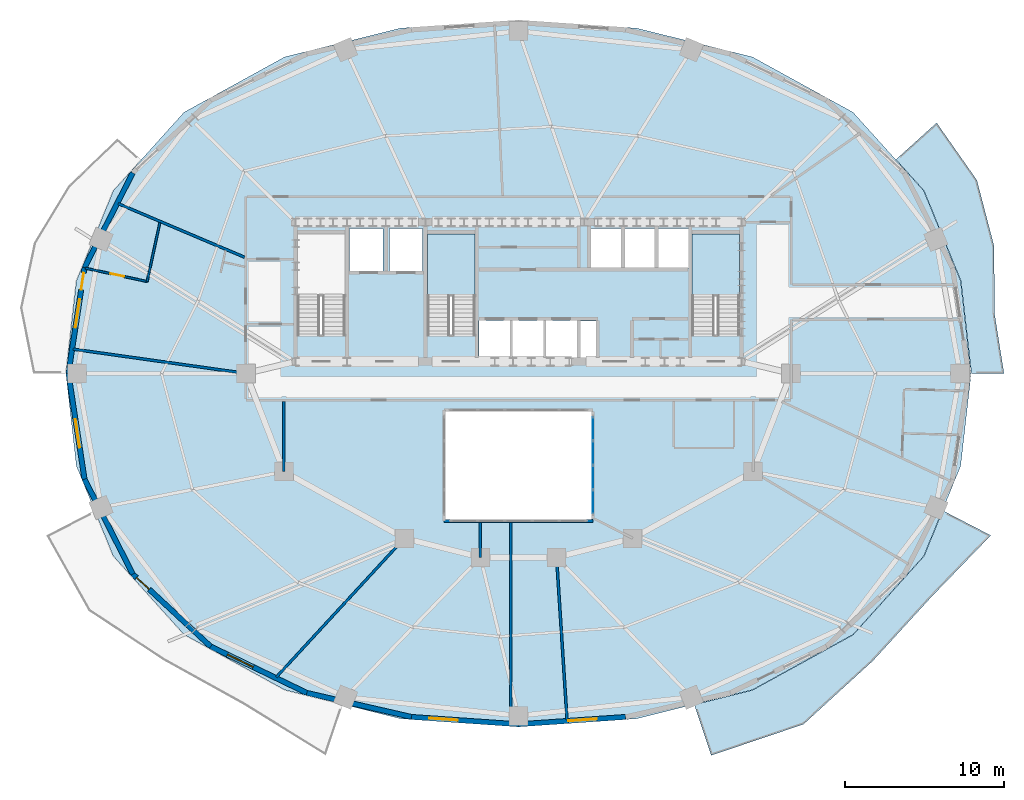
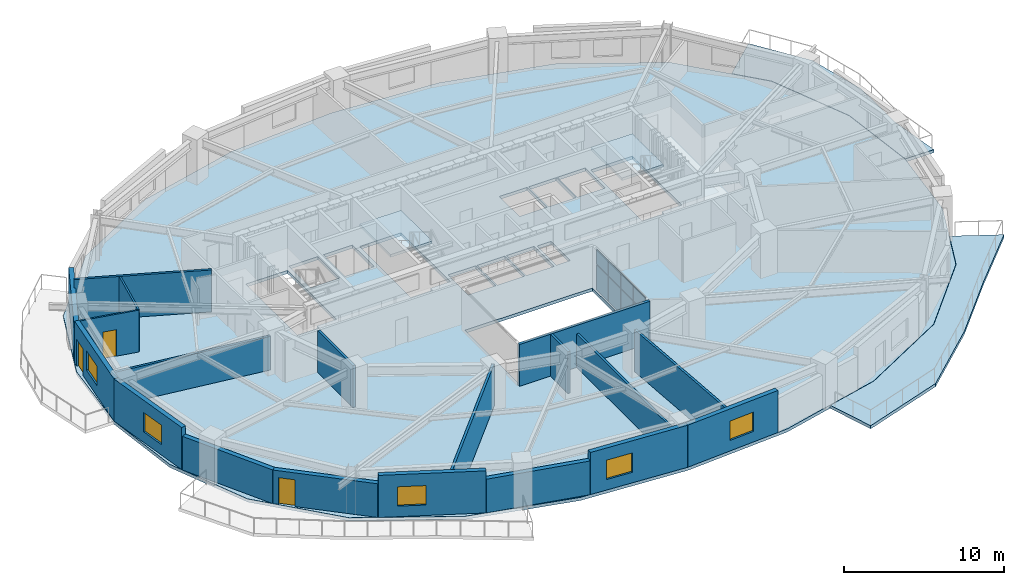
# One storey, part 6 of 13: 19 walls, 8 plates, 5 slabs, 5 windows, 3 doors, 8 openings, 3 elements without a shape of their own.
"""IFC4 building model written with IfcOpenShell, lengths in metres."""

from ifc_helpers import new_model, si_unit, direction, frame, frame_2d, origin, origin_2d, place, context, subcontext, project, spatial, polyline, rectangle, outline, extrude, material, layer, layer_set, type_object, element, fill, aggregate, save


model = new_model("IFC4")

# Units and contexts
model_context = context("Model", 3, precision=1e-05, world=origin(), true_north=direction((0.0, 1.0)))
body_context = subcontext(model_context, "Body", "Model", "MODEL_VIEW")
ifc_project = project(units=[si_unit("LENGTHUNIT", "METRE"), si_unit("AREAUNIT", "SQUARE_METRE"), si_unit("VOLUMEUNIT", "CUBIC_METRE"), si_unit("PLANEANGLEUNIT", "RADIAN"), si_unit("MASSUNIT", "GRAM", prefix="KILO")], contexts=[model_context])

# Site, building, storey
site_placement = place(None, origin())
site = spatial("IfcSite", under=ifc_project, at=site_placement, CompositionType="ELEMENT")
building_placement = place(site_placement, origin())
building = spatial("IfcBuilding", under=site, at=building_placement, Name="Haldorwick Loom Tower", CompositionType="ELEMENT")
storey_placement = place(building_placement, frame((0.0, 0.0, 124.25)))
storey = spatial("IfcBuildingStorey", under=building, at=storey_placement, Name="L33", CompositionType="ELEMENT", Elevation=124.25)

# Curtain wall, plates
ifc_material_1 = material(Name="Thermally Broken Anodized Aluminium Curtain Wall Framing", Category="aluminium")
curtain_wall_type = type_object("IfcCurtainWallType", Name="ARC-CW-03", PredefinedType="NOTDEFINED", material=ifc_material_1)
curtain_wall_placement = place(storey_placement, origin())
curtain_wall = element("IfcCurtainWall", 1, at=curtain_wall_placement, inside=storey, type_object=curtain_wall_type, Name="L33 Atrium Glazed Screen E", PredefinedType="NOTDEFINED")
ifc_material_2 = material(Name="Triple-Glazed Low-E Argon Insulated Glazing Unit", Category="glass")
ifc_layer_1 = layer(ifc_material_2, 0.04296875, Name="Triple-Glazed Low-E Argon Insulated Glazing Unit", Category="glass")
ifc_layer_set_1 = layer_set([ifc_layer_1], Name="Triple-Glazed Low-E Argon Insulated Glazing Unit")
plate_type = type_object("IfcPlateType", Name="ARC-CWP-03", PredefinedType="CURTAIN_PANEL", material=ifc_layer_set_1)
plate_1_placement = place(storey_placement, frame((40.699951171875, 22.508544921875, 0.066162109375), z_axis=(0.0, 0.0, 1.0), x_axis=(0.0, -1.0, 0.0)))
plate_1 = element("IfcPlate", 2, at=plate_1_placement, type_object=plate_type, Name="CW-03 panel 1.1", PredefinedType="CURTAIN_PANEL", context=body_context, shape_type="SweptSolid", body=[
    extrude(rectangle(XDim=1.450927734375, YDim=0.04296875, at=origin_2d()), origin(), (0.0, 0.0, 1.0), 1.90087890625),
])
plate_2_placement = place(storey_placement, frame((40.699951171875, 22.508544921875, 2.03271484375), z_axis=(0.0, 0.0, 1.0), x_axis=(0.0, -1.0, 0.0)))
plate_2 = element("IfcPlate", 3, at=plate_2_placement, type_object=plate_type, Name="CW-03 panel 1.2", PredefinedType="CURTAIN_PANEL", context=body_context, shape_type="SweptSolid", body=[
    extrude(rectangle(XDim=1.450927734375, YDim=0.04296875, at=origin_2d()), origin(), (0.0, 0.0, 1.0), 1.111083984375),
])
plate_3_placement = place(storey_placement, frame((40.699951171875, 20.97509765625, 0.066162109375), z_axis=(0.0, 0.0, 1.0), x_axis=(0.0, -1.0, 0.0)))
plate_3 = element("IfcPlate", 4, at=plate_3_placement, type_object=plate_type, Name="CW-03 panel 2.1", PredefinedType="CURTAIN_PANEL", context=body_context, shape_type="SweptSolid", body=[
    extrude(rectangle(XDim=1.48388671875, YDim=0.04296875, at=origin_2d()), origin(), (0.0, 0.0, 1.0), 1.90087890625),
])
plate_4_placement = place(storey_placement, frame((40.699951171875, 20.97509765625, 2.03271484375), z_axis=(0.0, 0.0, 1.0), x_axis=(0.0, -1.0, 0.0)))
plate_4 = element("IfcPlate", 5, at=plate_4_placement, type_object=plate_type, Name="CW-03 panel 2.2", PredefinedType="CURTAIN_PANEL", context=body_context, shape_type="SweptSolid", body=[
    extrude(rectangle(XDim=1.48388671875, YDim=0.04296875, at=origin_2d()), origin(), (0.0, 0.0, 1.0), 1.111083984375),
])
plate_5_placement = place(storey_placement, frame((40.699951171875, 19.425048828125, 0.066162109375), z_axis=(0.0, 0.0, 1.0), x_axis=(0.0, -1.0, 0.0)))
plate_5 = element("IfcPlate", 6, at=plate_5_placement, type_object=plate_type, Name="CW-03 panel 3.1", PredefinedType="CURTAIN_PANEL", context=body_context, shape_type="SweptSolid", body=[
    extrude(rectangle(XDim=1.48388671875, YDim=0.04296875, at=origin_2d()), origin(), (0.0, 0.0, 1.0), 1.90087890625),
])
plate_6_placement = place(storey_placement, frame((40.699951171875, 19.425048828125, 2.03271484375), z_axis=(0.0, 0.0, 1.0), x_axis=(0.0, -1.0, 0.0)))
plate_6 = element("IfcPlate", 7, at=plate_6_placement, type_object=plate_type, Name="CW-03 panel 3.2", PredefinedType="CURTAIN_PANEL", context=body_context, shape_type="SweptSolid", body=[
    extrude(rectangle(XDim=1.48388671875, YDim=0.04296875, at=origin_2d()), origin(), (0.0, 0.0, 1.0), 1.111083984375),
])
plate_7_placement = place(storey_placement, frame((40.699951171875, 17.8916015625, 0.066162109375), z_axis=(0.0, 0.0, 1.0), x_axis=(0.0, -1.0, 0.0)))
plate_7 = element("IfcPlate", 8, at=plate_7_placement, type_object=plate_type, Name="CW-03 panel 4.1", PredefinedType="CURTAIN_PANEL", context=body_context, shape_type="SweptSolid", body=[
    extrude(rectangle(XDim=1.450927734375, YDim=0.04296875, at=origin_2d()), origin(), (0.0, 0.0, 1.0), 1.90087890625),
])
plate_8_placement = place(storey_placement, frame((40.699951171875, 17.8916015625, 2.03271484375), z_axis=(0.0, 0.0, 1.0), x_axis=(0.0, -1.0, 0.0)))
plate_8 = element("IfcPlate", 9, at=plate_8_placement, type_object=plate_type, Name="CW-03 panel 4.2", PredefinedType="CURTAIN_PANEL", context=body_context, shape_type="SweptSolid", body=[
    extrude(rectangle(XDim=1.450927734375, YDim=0.04296875, at=origin_2d()), origin(), (0.0, 0.0, 1.0), 1.111083984375),
])
aggregate(curtain_wall, [plate_1, plate_2, plate_3, plate_4, plate_5, plate_6, plate_7, plate_8])

# Slabs
ifc_material_3 = material(Name="Concrete C40 (40 MPa)", Category="concrete")
ifc_layer_2 = layer(ifc_material_3, 0.239990234375, Name="Concrete C40 (40 MPa)", Category="concrete")
ifc_layer_set_2 = layer_set([ifc_layer_2], Name="Concrete C40 (40 MPa)")
slab_type_1 = type_object("IfcSlabType", Name="STR-SLB-BAL240", PredefinedType="FLOOR", material=ifc_layer_set_2)
slab_1_placement = place(storey_placement, frame((0.0, 0.0, -0.239990234375)))
element("IfcSlab", 10, at=slab_1_placement, inside=storey, type_object=slab_type_1, Name="L33 Sinusoidal Balcony Terrace BAL_SE", PredefinedType="FLOOR", context=body_context, shape_type="SweptSolid", body=[
    extrude(outline(polyline([(62.758544921875, 17.34814453125), (61.580078125, 14.468994140625), (61.579345703125, 14.4677734375), (61.578857421875, 14.466552734375), (61.578125, 14.465576171875), (61.5771484375, 14.464599609375), (57.11279296875, 9.51318359375), (57.11181640625, 9.51220703125), (57.1103515625, 9.510986328125), (57.10888671875, 9.51025390625), (50.767822265625, 6.0244140625), (50.7666015625, 6.023681640625), (50.765380859375, 6.023193359375), (50.76416015625, 6.022705078125), (47.08642578125, 5.10498046875), (48.155517578125, 1.90185546875), (53.978271484375, 3.8662109375), (58.376708984375, 7.890380859375), (62.07080078125, 11.92578125), (65.7939453125, 15.780517578125), (62.758544921875, 17.34814453125)])), origin(), (0.0, 0.0, 1.0), 0.239990234375),
])
slab_2_placement = place(storey_placement, frame((0.0, 0.0, -0.239990234375)))
element("IfcSlab", 11, at=slab_2_placement, inside=storey, type_object=slab_type_1, Name="L33 Sinusoidal Balcony Terrace BAL_ENE", PredefinedType="FLOOR", context=body_context, shape_type="SweptSolid", body=[
    extrude(outline(polyline([(59.813232421875, 39.491943359375), (61.5771484375, 37.535400390625), (61.578125, 37.534423828125), (61.578857421875, 37.533447265625), (61.579345703125, 37.5322265625), (61.580078125, 37.531005859375), (63.90869140625, 31.841796875), (63.9091796875, 31.840576171875), (63.909423828125, 31.83935546875), (63.90966796875, 31.837890625), (64.572509765625, 26.001708984375), (64.572509765625, 26.0), (66.629150390625, 26.0), (66.019287109375, 29.846435546875), (66.01025390625, 34.008056640625), (64.916015625, 38.197509765625), (62.3779296875, 41.81201171875), (59.813232421875, 39.491943359375)])), origin(), (0.0, 0.0, 1.0), 0.239990234375),
])

# Stair, slab
stair_type = type_object("IfcStairType", Name="STR-STR-CORE", PredefinedType="HALF_TURN_STAIR", material=ifc_material_3)
stair_1_placement = place(storey_placement, origin())
stair_1 = element("IfcStair", 12, at=stair_1_placement, inside=storey, type_object=stair_type, Name="L33 Exit Stair ST-02", PredefinedType="HALF_TURN_STAIR")
ifc_layer_3 = layer(ifc_material_3, 0.199951171875, Name="Concrete C40 (40 MPa)", Category="concrete")
ifc_layer_set_3 = layer_set([ifc_layer_3], Name="Concrete C40 (40 MPa)")
slab_type_2 = type_object("IfcSlabType", Name="STR-SLB-LAND200", PredefinedType="LANDING", material=ifc_layer_set_3)
slab_3_placement = place(storey_placement, frame((0.0, 0.0, 1.52490234375)))
slab_3 = element("IfcSlab", 13, at=slab_3_placement, type_object=slab_type_2, Name="ST-02 landing 1", PredefinedType="LANDING", context=body_context, shape_type="SweptSolid", body=[
    extrude(outline(polyline([(49.949951171875, 30.919921875), (49.949951171875, 34.800048828125), (46.949951171875, 34.800048828125), (46.949951171875, 30.919921875), (49.949951171875, 30.919921875)])), origin(), (0.0, 0.0, 1.0), 0.2001953125),
])
aggregate(stair_1, [slab_3])

stair_2_placement = place(storey_placement, origin())
stair_2 = element("IfcStair", 14, at=stair_2_placement, inside=storey, type_object=stair_type, Name="L33 Exit Stair ST-03", PredefinedType="HALF_TURN_STAIR")
slab_4_placement = place(storey_placement, frame((0.0, 0.0, 1.52490234375)))
slab_4 = element("IfcSlab", 15, at=slab_4_placement, type_object=slab_type_2, Name="ST-03 landing 1", PredefinedType="LANDING", context=body_context, shape_type="SweptSolid", body=[
    extrude(outline(polyline([(33.25, 30.919921875), (33.25, 34.800048828125), (30.25, 34.800048828125), (30.25, 30.919921875), (33.25, 30.919921875)])), origin(), (0.0, 0.0, 1.0), 0.2001953125),
])
aggregate(stair_2, [slab_4])

# Slab
ifc_layer_4 = layer(ifc_material_3, 0.239990234375, Name="Concrete C40 (40 MPa)", Category="concrete")
ifc_layer_set_4 = layer_set([ifc_layer_4], Name="Concrete C40 (40 MPa)")
slab_type_3 = type_object("IfcSlabType", Name="STR-SLB-RES240", PredefinedType="FLOOR", material=ifc_layer_set_4)
slab_5_placement = place(storey_placement, frame((0.0, 0.0, -0.239990234375)))
element("IfcSlab", 16, at=slab_5_placement, inside=storey, type_object=slab_type_3, Name="L33 Residential Structural Floor Slab", PredefinedType="FLOOR", context=body_context, shape_type="SweptSolid", body=[
    extrude(outline(polyline([(57.101806640625, 9.523193359375), (61.566162109375, 14.474609375), (63.894775390625, 20.163818359375), (64.5576171875, 26.0), (63.894775390625, 31.836181640625), (61.566162109375, 37.525390625), (57.101806640625, 42.476806640625), (50.760498046875, 45.962646484375), (43.474365234375, 47.781005859375), (36.0, 48.29833984375), (28.525634765625, 47.781005859375), (21.239501953125, 45.962646484375), (14.898193359375, 42.476806640625), (10.433837890625, 37.525390625), (8.105224609375, 31.836181640625), (7.4423828125, 26.0), (8.105224609375, 20.163818359375), (10.433837890625, 14.474609375), (14.898193359375, 9.523193359375), (21.239501953125, 6.037353515625), (28.525634765625, 4.218994140625), (36.0, 3.70166015625), (43.474365234375, 4.218994140625), (50.760498046875, 6.037353515625), (57.101806640625, 9.523193359375)]), holes=[polyline([(31.39990234375, 16.800048828125), (31.39990234375, 23.60009765625), (40.60009765625, 23.60009765625), (40.60009765625, 16.800048828125), (31.39990234375, 16.800048828125)]), polyline([(33.5, 26.85009765625), (33.5, 29.35009765625), (35.5, 29.35009765625), (35.5, 26.85009765625), (33.5, 26.85009765625)]), polyline([(35.60009765625, 26.85009765625), (35.60009765625, 29.35009765625), (37.60009765625, 29.35009765625), (37.60009765625, 26.85009765625), (35.60009765625, 26.85009765625)]), polyline([(23.6201171875, 28.39990234375), (22.050048828125, 28.39990234375), (22.050048828125, 34.800048828125), (25.050048828125, 34.800048828125), (25.050048828125, 28.639892578125), (23.6201171875, 28.639892578125), (23.6201171875, 28.39990234375)]), polyline([(30.25, 28.39990234375), (30.25, 34.800048828125), (33.25, 34.800048828125), (33.25, 28.639892578125), (31.820068359375, 28.639892578125), (31.820068359375, 28.39990234375), (30.25, 28.39990234375)]), polyline([(25.35009765625, 32.449951171875), (25.35009765625, 35.14990234375), (27.449951171875, 35.14990234375), (27.449951171875, 32.449951171875), (25.35009765625, 32.449951171875)]), polyline([(29.949951171875, 32.449951171875), (27.85009765625, 32.449951171875), (27.85009765625, 35.14990234375), (29.949951171875, 35.14990234375), (29.949951171875, 32.449951171875)]), polyline([(37.699951171875, 26.85009765625), (37.699951171875, 29.35009765625), (39.699951171875, 29.35009765625), (39.699951171875, 26.85009765625), (37.699951171875, 26.85009765625)]), polyline([(39.89990234375, 26.89990234375), (39.89990234375, 29.300048828125), (40.89990234375, 29.300048828125), (40.89990234375, 26.89990234375), (39.89990234375, 26.89990234375)]), polyline([(46.949951171875, 28.39990234375), (46.949951171875, 34.800048828125), (49.949951171875, 34.800048828125), (49.949951171875, 28.639892578125), (48.52001953125, 28.639892578125), (48.52001953125, 28.39990234375), (46.949951171875, 28.39990234375)]), polyline([(40.550048828125, 32.64990234375), (40.550048828125, 35.14990234375), (42.550048828125, 35.14990234375), (42.550048828125, 32.64990234375), (40.550048828125, 32.64990234375)]), polyline([(42.64990234375, 32.64990234375), (42.64990234375, 35.14990234375), (44.64990234375, 35.14990234375), (44.64990234375, 32.64990234375), (42.64990234375, 32.64990234375)]), polyline([(44.75, 32.64990234375), (44.75, 35.14990234375), (46.75, 35.14990234375), (46.75, 32.64990234375), (44.75, 32.64990234375)])]), origin(), (0.0, 0.0, 1.0), 0.239990234375),
])

# Wall
ifc_material_4 = material(Name="Pressed Clay Face Brick and Insulated Masonry Backup Assembly", Category="masonry")
ifc_layer_5 = layer(ifc_material_4, 0.320068359375, Name="Pressed Clay Face Brick and Insulated Masonry Backup Assembly", Category="masonry")
ifc_layer_set_5 = layer_set([ifc_layer_5], Name="Pressed Clay Face Brick and Insulated Masonry Backup Assembly")
wall_type_1 = type_object("IfcWallType", Name="ARC-WL-EXT320", PredefinedType="STANDARD", material=ifc_layer_set_5)
wall_1_placement = place(storey_placement, frame((11.661376953125, 38.655517578125, 0.0), z_axis=(0.0, 0.0, 1.0), x_axis=(-0.453374078001, -0.89132033826, 0.0)))
element("IfcWall", 17, at=wall_1_placement, inside=storey, type_object=wall_type_1, Name="L33 Brick Pier and Spandrel Wall 11", PredefinedType="STANDARD", context=body_context, shape_type="SweptSolid", body=[
    extrude(rectangle(XDim=6.709716796875, YDim=0.320068359375, at=frame_2d((3.35498046875, 0.0))), origin(), (0.0, 0.0, 1.0), 2.569091796875),
])

# Wall, openings, door, window
wall_2_placement = place(storey_placement, frame((8.619384765625, 32.675048828125, 0.0), z_axis=(0.0, 0.0, 1.0), x_axis=(-0.150633288003, -0.988589708901, 0.0)))
wall_2 = element("IfcWall", 18, at=wall_2_placement, inside=storey, type_object=wall_type_1, Name="L33 Brick Pier and Spandrel Wall 12", PredefinedType="STANDARD", context=body_context, shape_type="SweptSolid", body=[
    extrude(rectangle(XDim=6.752197265625, YDim=0.320068359375, at=frame_2d((3.3759765625, 0.0))), origin(), (0.0, 0.0, 1.0), 3.2099609375),
])
opening_1_placement = place(wall_2_placement, frame((0.340087890625, 0.0, 0.0)))
opening_1 = element("IfcOpeningElement", 19, at=opening_1_placement, cuts=wall_2, Name="Opening D-BL11", PredefinedType="OPENING", context=body_context, shape_type="SweptSolid", body=[
    extrude(rectangle(XDim=1.080078125, YDim=2.0400390625, at=frame_2d((0.5400390625, 1.02001953125))), frame((0.0, 0.169921875, 0.0), z_axis=(0.0, -1.0, 0.0), x_axis=(1.0, 0.0, 0.0)), (0.0, 0.0, 1.0), 0.340087890625),
])
opening_2_placement = place(wall_2_placement, frame((2.02490234375, 0.0, 0.800048828125)))
opening_2 = element("IfcOpeningElement", 20, at=opening_2_placement, cuts=wall_2, Name="Opening W-01", PredefinedType="OPENING", context=body_context, shape_type="SweptSolid", body=[
    extrude(rectangle(XDim=1.800048828125, YDim=1.47998046875, at=frame_2d((0.89990234375, 0.739990234375))), frame((0.0, 0.169921875, 0.0), z_axis=(0.0, -1.0, 0.0), x_axis=(1.0, 0.0, 0.0)), (0.0, 0.0, 1.0), 0.340087890625),
])
door_type_1 = type_object("IfcDoorType", Name="ARC-DR-BAL110", OperationType="NOTDEFINED", PredefinedType="DOOR", material=ifc_material_1)
door_1_placement = place(opening_1_placement, origin())
door_1 = element("IfcDoor", 21, at=door_1_placement, inside=storey, type_object=door_type_1, Name="L33 Outdoor Terrace Door SLB-L33-BAL_WNW", OperationType="SINGLE_SWING_RIGHT", OverallHeight=2.0400390625, OverallWidth=1.080078125, PredefinedType="DOOR", context=body_context, shape_type="SweptSolid", body=[
    extrude(rectangle(XDim=1.080078125, YDim=2.0400390625, at=frame_2d((0.5400390625, 1.02001953125))), frame((0.0, 0.02490234375, 0.0), z_axis=(0.0, -1.0, 0.0), x_axis=(1.0, 0.0, 0.0)), (0.0, 0.0, 1.0), 0.050048828125),
])
fill(opening_1, door_1)
window_type = type_object("IfcWindowType", Name="ARC-WIN-W180", PartitioningType="SINGLE_PANEL", PredefinedType="WINDOW", material=ifc_material_2)
window_1_placement = place(opening_2_placement, origin())
window_1 = element("IfcWindow", 22, at=window_1_placement, inside=storey, type_object=window_type, Name="L33 Deep-Set Zone 7A Window 12", OverallHeight=1.47998046875, OverallWidth=1.800048828125, PartitioningType="SINGLE_PANEL", PredefinedType="WINDOW", context=body_context, shape_type="SweptSolid", body=[
    extrude(rectangle(XDim=1.800048828125, YDim=1.47998046875, at=frame_2d((0.89990234375, 0.739990234375))), frame((0.0, 0.030029296875, 0.0), z_axis=(0.0, -1.0, 0.0), x_axis=(1.0, 0.0, 0.0)), (0.0, 0.0, 1.0), 0.06005859375),
])
fill(opening_2, window_1)

# Wall, opening, window
wall_3_placement = place(storey_placement, frame((7.602294921875, 26.0, 0.0), z_axis=(0.0, 0.0, 1.0), x_axis=(0.150633288003, -0.988589708901, 0.0)))
wall_3 = element("IfcWall", 23, at=wall_3_placement, inside=storey, type_object=wall_type_1, Name="L33 Brick Pier and Spandrel Wall 13", PredefinedType="STANDARD", context=body_context, shape_type="SweptSolid", body=[
    extrude(rectangle(XDim=6.752197265625, YDim=0.320068359375, at=frame_2d((3.3759765625, 0.0))), origin(), (0.0, 0.0, 1.0), 3.2099609375),
])
opening_3_placement = place(wall_3_placement, frame((2.92724609375, 0.0, 0.800048828125)))
opening_3 = element("IfcOpeningElement", 24, at=opening_3_placement, cuts=wall_3, Name="Opening W-01", PredefinedType="OPENING", context=body_context, shape_type="SweptSolid", body=[
    extrude(rectangle(XDim=1.800048828125, YDim=1.47998046875, at=frame_2d((0.89990234375, 0.739990234375))), frame((0.0, 0.169921875, 0.0), z_axis=(0.0, -1.0, 0.0), x_axis=(1.0, 0.0, 0.0)), (0.0, 0.0, 1.0), 0.340087890625),
])
window_2_placement = place(opening_3_placement, origin())
window_2 = element("IfcWindow", 25, at=window_2_placement, inside=storey, type_object=window_type, Name="L33 Deep-Set Zone 7A Window 13", OverallHeight=1.47998046875, OverallWidth=1.800048828125, PartitioningType="SINGLE_PANEL", PredefinedType="WINDOW", context=body_context, shape_type="SweptSolid", body=[
    extrude(rectangle(XDim=1.800048828125, YDim=1.47998046875, at=frame_2d((0.89990234375, 0.739990234375))), frame((0.0, 0.030029296875, 0.0), z_axis=(0.0, -1.0, 0.0), x_axis=(1.0, 0.0, 0.0)), (0.0, 0.0, 1.0), 0.06005859375),
])
fill(opening_3, window_2)

# Wall
wall_4_placement = place(storey_placement, frame((8.619384765625, 19.324951171875, 0.0), z_axis=(0.0, 0.0, 1.0), x_axis=(0.453374078001, -0.89132033826, 0.0)))
element("IfcWall", 26, at=wall_4_placement, inside=storey, type_object=wall_type_1, Name="L33 Brick Pier and Spandrel Wall 14", PredefinedType="STANDARD", context=body_context, shape_type="SweptSolid", body=[
    extrude(rectangle(XDim=6.709716796875, YDim=0.320068359375, at=frame_2d((3.35498046875, 0.0))), origin(), (0.0, 0.0, 1.0), 2.569091796875),
])

# Wall, opening, door
wall_5_placement = place(storey_placement, frame((11.661376953125, 13.344482421875, 0.0), z_axis=(0.0, 0.0, 1.0), x_axis=(0.732137360086, -0.681157020052, 0.0)))
wall_5 = element("IfcWall", 27, at=wall_5_placement, inside=storey, type_object=wall_type_1, Name="L33 Brick Pier and Spandrel Wall 15", PredefinedType="STANDARD", context=body_context, shape_type="SweptSolid", body=[
    extrude(rectangle(XDim=6.709228515625, YDim=0.320068359375, at=frame_2d((3.3544921875, 0.0))), origin(), (0.0, 0.0, 1.0), 2.569091796875),
])
opening_4_placement = place(wall_5_placement, frame((0.340087890625, 0.0, 0.0)))
opening_4 = element("IfcOpeningElement", 28, at=opening_4_placement, cuts=wall_5, Name="Opening D-BL11", PredefinedType="OPENING", context=body_context, shape_type="SweptSolid", body=[
    extrude(rectangle(XDim=1.080078125, YDim=2.0400390625, at=frame_2d((0.5400390625, 1.02001953125))), frame((0.0, 0.169921875, 0.0), z_axis=(0.0, -1.0, 0.0), x_axis=(1.0, 0.0, 0.0)), (0.0, 0.0, 1.0), 0.340087890625),
])
door_2_placement = place(opening_4_placement, origin())
door_2 = element("IfcDoor", 29, at=door_2_placement, inside=storey, type_object=door_type_1, Name="L33 Outdoor Terrace Door SLB-L33-BAL_SW", OperationType="SINGLE_SWING_LEFT", OverallHeight=2.0400390625, OverallWidth=1.080078125, PredefinedType="DOOR", context=body_context, shape_type="SweptSolid", body=[
    extrude(rectangle(XDim=1.080078125, YDim=2.0400390625, at=frame_2d((0.5400390625, 1.02001953125))), frame((0.0, 0.02490234375, 0.0), z_axis=(0.0, -1.0, 0.0), x_axis=(1.0, 0.0, 0.0)), (0.0, 0.0, 1.0), 0.050048828125),
])
fill(opening_4, door_2)

# Wall, opening, window
wall_6_placement = place(storey_placement, frame((16.573486328125, 8.7744140625, 0.0), z_axis=(0.0, 0.0, 1.0), x_axis=(0.900510094661, -0.434835106004, 0.0)))
wall_6 = element("IfcWall", 30, at=wall_6_placement, inside=storey, type_object=wall_type_1, Name="L33 Brick Pier and Spandrel Wall 16", PredefinedType="STANDARD", context=body_context, shape_type="SweptSolid", body=[
    extrude(rectangle(XDim=6.744873046875, YDim=0.320068359375, at=frame_2d((3.37255859375, 0.0))), origin(), (0.0, 0.0, 1.0), 3.2099609375),
])
opening_5_placement = place(wall_6_placement, frame((1.180908203125, 0.0, 0.800048828125)))
opening_5 = element("IfcOpeningElement", 31, at=opening_5_placement, cuts=wall_6, Name="Opening W-01", PredefinedType="OPENING", context=body_context, shape_type="SweptSolid", body=[
    extrude(rectangle(XDim=1.800048828125, YDim=1.47998046875, at=frame_2d((0.89990234375, 0.739990234375))), frame((0.0, 0.169921875, 0.0), z_axis=(0.0, -1.0, 0.0), x_axis=(1.0, 0.0, 0.0)), (0.0, 0.0, 1.0), 0.340087890625),
])
window_3_placement = place(opening_5_placement, origin())
window_3 = element("IfcWindow", 32, at=window_3_placement, inside=storey, type_object=window_type, Name="L33 Deep-Set Zone 7A Window 16", OverallHeight=1.47998046875, OverallWidth=1.800048828125, PartitioningType="SINGLE_PANEL", PredefinedType="WINDOW", context=body_context, shape_type="SweptSolid", body=[
    extrude(rectangle(XDim=1.800048828125, YDim=1.47998046875, at=frame_2d((0.89990234375, 0.739990234375))), frame((0.0, 0.030029296875, 0.0), z_axis=(0.0, -1.0, 0.0), x_axis=(1.0, 0.0, 0.0)), (0.0, 0.0, 1.0), 0.06005859375),
])
fill(opening_5, window_3)

# Wall
wall_7_placement = place(storey_placement, frame((22.647216796875, 5.841552734375, 0.0), z_axis=(0.0, 0.0, 1.0), x_axis=(0.974584177714, -0.224021607329, 0.0)))
element("IfcWall", 33, at=wall_7_placement, inside=storey, type_object=wall_type_1, Name="L33 Brick Pier and Spandrel Wall 17", PredefinedType="STANDARD", context=body_context, shape_type="SweptSolid", body=[
    extrude(rectangle(XDim=6.767822265625, YDim=0.320068359375, at=frame_2d((3.3837890625, 0.0))), origin(), (0.0, 0.0, 1.0), 2.569091796875),
])

# Wall, opening, window
wall_8_placement = place(storey_placement, frame((29.242919921875, 4.325439453125, 0.0), z_axis=(0.0, 0.0, 1.0), x_axis=(0.997651949344, -0.068487867318, 0.0)))
wall_8 = element("IfcWall", 34, at=wall_8_placement, inside=storey, type_object=wall_type_1, Name="L33 Brick Pier and Spandrel Wall 18", PredefinedType="STANDARD", context=body_context, shape_type="SweptSolid", body=[
    extrude(rectangle(XDim=6.77294921875, YDim=0.320068359375, at=frame_2d((3.386474609375, 0.0))), origin(), (0.0, 0.0, 1.0), 3.2099609375),
])
opening_6_placement = place(wall_8_placement, frame((1.1318359375, 0.0, 0.800048828125)))
opening_6 = element("IfcOpeningElement", 35, at=opening_6_placement, cuts=wall_8, Name="Opening W-01", PredefinedType="OPENING", context=body_context, shape_type="SweptSolid", body=[
    extrude(rectangle(XDim=1.800048828125, YDim=1.47998046875, at=frame_2d((0.89990234375, 0.739990234375))), frame((0.0, 0.169921875, 0.0), z_axis=(0.0, -1.0, 0.0), x_axis=(1.0, 0.0, 0.0)), (0.0, 0.0, 1.0), 0.340087890625),
])
window_4_placement = place(opening_6_placement, origin())
window_4 = element("IfcWindow", 36, at=window_4_placement, inside=storey, type_object=window_type, Name="L33 Deep-Set Zone 7A Window 18", OverallHeight=1.47998046875, OverallWidth=1.800048828125, PartitioningType="SINGLE_PANEL", PredefinedType="WINDOW", context=body_context, shape_type="SweptSolid", body=[
    extrude(rectangle(XDim=1.800048828125, YDim=1.47998046875, at=frame_2d((0.89990234375, 0.739990234375))), frame((0.0, 0.030029296875, 0.0), z_axis=(0.0, -1.0, 0.0), x_axis=(1.0, 0.0, 0.0)), (0.0, 0.0, 1.0), 0.06005859375),
])
fill(opening_6, window_4)

wall_9_placement = place(storey_placement, frame((36.0, 3.861572265625, 0.0), z_axis=(0.0, 0.0, 1.0), x_axis=(0.997651949344, 0.068487867318, 0.0)))
wall_9 = element("IfcWall", 37, at=wall_9_placement, inside=storey, type_object=wall_type_1, Name="L33 Brick Pier and Spandrel Wall 19", PredefinedType="STANDARD", context=body_context, shape_type="SweptSolid", body=[
    extrude(rectangle(XDim=6.77294921875, YDim=0.320068359375, at=frame_2d((3.386474609375, 0.0))), origin(), (0.0, 0.0, 1.0), 3.2099609375),
])
opening_7_placement = place(wall_9_placement, frame((3.142333984375, 0.0, 0.800048828125)))
opening_7 = element("IfcOpeningElement", 38, at=opening_7_placement, cuts=wall_9, Name="Opening W-01", PredefinedType="OPENING", context=body_context, shape_type="SweptSolid", body=[
    extrude(rectangle(XDim=1.800048828125, YDim=1.47998046875, at=frame_2d((0.89990234375, 0.739990234375))), frame((0.0, 0.169921875, 0.0), z_axis=(0.0, -1.0, 0.0), x_axis=(1.0, 0.0, 0.0)), (0.0, 0.0, 1.0), 0.340087890625),
])
window_5_placement = place(opening_7_placement, origin())
window_5 = element("IfcWindow", 39, at=window_5_placement, inside=storey, type_object=window_type, Name="L33 Deep-Set Zone 7A Window 19", OverallHeight=1.47998046875, OverallWidth=1.800048828125, PartitioningType="SINGLE_PANEL", PredefinedType="WINDOW", context=body_context, shape_type="SweptSolid", body=[
    extrude(rectangle(XDim=1.800048828125, YDim=1.47998046875, at=frame_2d((0.89990234375, 0.739990234375))), frame((0.0, 0.030029296875, 0.0), z_axis=(0.0, -1.0, 0.0), x_axis=(1.0, 0.0, 0.0)), (0.0, 0.0, 1.0), 0.06005859375),
])
fill(opening_7, window_5)

# Walls
ifc_material_5 = material(Name="Fire-Rated Type X Gypsum Stud Assembly EI 60")
ifc_layer_6 = layer(ifc_material_5, 0.159912109375, Name="Fire-Rated Type X Gypsum Stud Assembly EI 60")
ifc_layer_set_6 = layer_set([ifc_layer_6], Name="Fire-Rated Type X Gypsum Stud Assembly EI 60")
wall_type_2 = type_object("IfcWallType", Name="ARC-WL-FIRE160", PredefinedType="PARTITIONING", material=ifc_layer_set_6)
wall_10_placement = place(storey_placement, frame((38.39990234375, 14.39990234375, 0.0), z_axis=(0.0, 0.0, 1.0), x_axis=(0.06435711191, -0.997926932268, 0.0)))
element("IfcWall", 40, at=wall_10_placement, inside=storey, type_object=wall_type_2, Name="L33 Residential Fire Partition L33-ICR-05", PredefinedType="PARTITIONING", context=body_context, shape_type="SweptSolid", body=[
    extrude(rectangle(XDim=10.2841796875, YDim=0.159912109375, at=frame_2d((5.14208984375, 0.0))), origin(), (0.0, 0.0, 1.0), 3.195068359375),
])
wall_11_placement = place(storey_placement, frame((28.800048828125, 15.60009765625, 0.0), z_axis=(0.0, 0.0, 1.0), x_axis=(-0.678102201448, -0.734967621321, 0.0)))
element("IfcWall", 41, at=wall_11_placement, inside=storey, type_object=wall_type_2, Name="L33 Residential Fire Partition L33-ICR-08", PredefinedType="PARTITIONING", context=body_context, shape_type="SweptSolid", body=[
    extrude(rectangle(XDim=11.913818359375, YDim=0.159912109375, at=frame_2d((5.95703125, 0.0))), origin(), (0.0, 0.0, 1.0), 3.195068359375),
])
wall_12_placement = place(storey_placement, frame((18.717041015625, 26.01171875, 0.0), z_axis=(0.0, 0.0, 1.0), x_axis=(-0.99026794236, 0.139174000206, 0.0)))
element("IfcWall", 42, at=wall_12_placement, inside=storey, type_object=wall_type_2, Name="L33 Residential Fire Partition L33-ICR-10", PredefinedType="PARTITIONING", context=body_context, shape_type="SweptSolid", body=[
    extrude(rectangle(XDim=10.921630859375, YDim=0.159912109375, at=frame_2d((5.4609375, 0.0))), origin(), (0.0, 0.0, 1.0), 2.568115234375),
])
wall_13_placement = place(storey_placement, frame((35.5, 3.961181640625, 0.0), z_axis=(0.0, 0.0, 1.0), x_axis=(0.0, 1.0, 0.0)))
element("IfcWall", 43, at=wall_13_placement, inside=storey, type_object=wall_type_2, Name="L33 Residential Fire Partition L33-SBP-0", PredefinedType="PARTITIONING", context=body_context, shape_type="SweptSolid", body=[
    extrude(rectangle(XDim=12.6357421875, YDim=0.159912109375, at=frame_2d((6.31787109375, 0.0))), origin(), (0.0, 0.0, 1.0), 2.568115234375),
])
wall_14_placement = place(storey_placement, frame((33.60009765625, 16.596923828125, 0.0), z_axis=(0.0, 0.0, 1.0), x_axis=(0.0, -1.0, 0.0)))
element("IfcWall", 44, at=wall_14_placement, inside=storey, type_object=wall_type_2, Name="L33 Residential Fire Partition L33-ICA-06", PredefinedType="PARTITIONING", context=body_context, shape_type="SweptSolid", body=[
    extrude(rectangle(XDim=2.197021484375, YDim=0.159912109375, at=frame_2d((1.0986328125, 0.0))), origin(), (0.0, 0.0, 1.0), 3.195068359375),
])
wall_15_placement = place(storey_placement, frame((21.199951171875, 24.217041015625, 0.0), z_axis=(0.0, 0.0, 1.0), x_axis=(0.0, -1.0, 0.0)))
element("IfcWall", 45, at=wall_15_placement, inside=storey, type_object=wall_type_2, Name="L33 Residential Fire Partition L33-ICA-09", PredefinedType="PARTITIONING", context=body_context, shape_type="SweptSolid", body=[
    extrude(rectangle(XDim=4.4169921875, YDim=0.159912109375, at=frame_2d((2.20849609375, 0.0))), origin(), (0.0, 0.0, 1.0), 3.195068359375),
])
wall_16_placement = place(storey_placement, frame((18.717041015625, 33.330078125, 0.0), z_axis=(0.0, 0.0, 1.0), x_axis=(-0.920630308553, 0.390435442772, 0.0)))
element("IfcWall", 46, at=wall_16_placement, inside=storey, type_object=wall_type_2, Name="L33 Suite Split Wall", PredefinedType="PARTITIONING", context=body_context, shape_type="SweptSolid", body=[
    extrude(rectangle(XDim=8.6591796875, YDim=0.159912109375, at=frame_2d((4.32958984375, 0.0))), origin(), (0.0, 0.0, 1.0), 3.195068359375),
])
ifc_material_6 = material(Name="Fire-Rated Type X Gypsum Stud Assembly EI 120")
ifc_layer_7 = layer(ifc_material_6, 0.199951171875, Name="Fire-Rated Type X Gypsum Stud Assembly EI 120")
ifc_layer_set_7 = layer_set([ifc_layer_7], Name="Fire-Rated Type X Gypsum Stud Assembly EI 120")
wall_type_3 = type_object("IfcWallType", Name="ARC-WL-FIRE200", PredefinedType="PARTITIONING", material=ifc_layer_set_7)
wall_17_placement = place(storey_placement, frame((40.699951171875, 16.699951171875, 0.0), z_axis=(0.0, 0.0, 1.0), x_axis=(-1.0, 0.0, 0.0)))
element("IfcWall", 47, at=wall_17_placement, inside=storey, type_object=wall_type_3, Name="L33 Atrium Fire Enclosure Wall S", PredefinedType="PARTITIONING", context=body_context, shape_type="SweptSolid", body=[
    extrude(rectangle(XDim=9.39990234375, YDim=0.199951171875, at=frame_2d((4.699951171875, 0.0))), origin(), (0.0, 0.0, 1.0), 3.195068359375),
])
ifc_material_7 = material(Name="Acoustic Gypsum Stud Assembly STC 55")
ifc_layer_8 = layer(ifc_material_7, 0.1201171875, Name="Acoustic Gypsum Stud Assembly STC 55")
ifc_layer_set_8 = layer_set([ifc_layer_8], Name="Acoustic Gypsum Stud Assembly STC 55")
wall_type_4 = type_object("IfcWallType", Name="ARC-WL-PART120", PredefinedType="PARTITIONING", material=ifc_layer_set_8)
wall_18_placement = place(storey_placement, frame((13.371337890625, 35.507080078125, 0.0), z_axis=(0.0, 0.0, 1.0), x_axis=(-0.211272992451, -0.977427093271, 0.0)))
element("IfcWall", 48, at=wall_18_placement, inside=storey, type_object=wall_type_4, Name="L33 Unit 33B Interior Partition", PredefinedType="PARTITIONING", context=body_context, shape_type="SweptSolid", body=[
    extrude(rectangle(XDim=3.794921875, YDim=0.1201171875, at=frame_2d((1.8974609375, 0.0))), origin(), (0.0, 0.0, 1.0), 3.195068359375),
])

# Wall, opening, door
wall_19_placement = place(storey_placement, frame((12.569580078125, 31.7978515625, 0.0), z_axis=(0.0, 0.0, 1.0), x_axis=(-0.977413822967, 0.211334376459, 0.0)))
wall_19 = element("IfcWall", 49, at=wall_19_placement, inside=storey, type_object=wall_type_4, Name="L33 Unit 33B Interior Partition", PredefinedType="PARTITIONING", context=body_context, shape_type="SweptSolid", body=[
    extrude(rectangle(XDim=3.979736328125, YDim=0.1201171875, at=frame_2d((1.98974609375, 0.0))), origin(), (0.0, 0.0, 1.0), 3.195068359375),
])
opening_8_placement = place(wall_19_placement, frame((1.4892578125, 0.0, 0.0)))
opening_8 = element("IfcOpeningElement", 50, at=opening_8_placement, cuts=wall_19, Name="Opening D-BT88", PredefinedType="OPENING", context=body_context, shape_type="SweptSolid", body=[
    extrude(rectangle(XDim=0.8798828125, YDim=2.02001953125, at=frame_2d((0.43994140625, 1.010009765625))), frame((0.0, 0.070068359375, 0.0), z_axis=(0.0, -1.0, 0.0), x_axis=(1.0, 0.0, 0.0)), (0.0, 0.0, 1.0), 0.14013671875),
])
ifc_material_8 = material(Name="Solid Core Birch Architectural Door")
door_type_2 = type_object("IfcDoorType", Name="ARC-DR-BATH88", OperationType="NOTDEFINED", PredefinedType="DOOR", material=ifc_material_8)
door_3_placement = place(opening_8_placement, origin())
door_3 = element("IfcDoor", 51, at=door_3_placement, inside=storey, type_object=door_type_2, Name="L33 Unit 33B Kitchen and Studio Living Room to Unit 33B Bathroom Door", OperationType="SINGLE_SWING_LEFT", OverallHeight=2.02001953125, OverallWidth=0.8798828125, PredefinedType="DOOR", context=body_context, shape_type="SweptSolid", body=[
    extrude(rectangle(XDim=0.8798828125, YDim=2.02001953125, at=frame_2d((0.43994140625, 1.010009765625))), frame((0.0, 0.02490234375, 0.0), z_axis=(0.0, -1.0, 0.0), x_axis=(1.0, 0.0, 0.0)), (0.0, 0.0, 1.0), 0.050048828125),
])
fill(opening_8, door_3)

save(model, "model.ifc")
